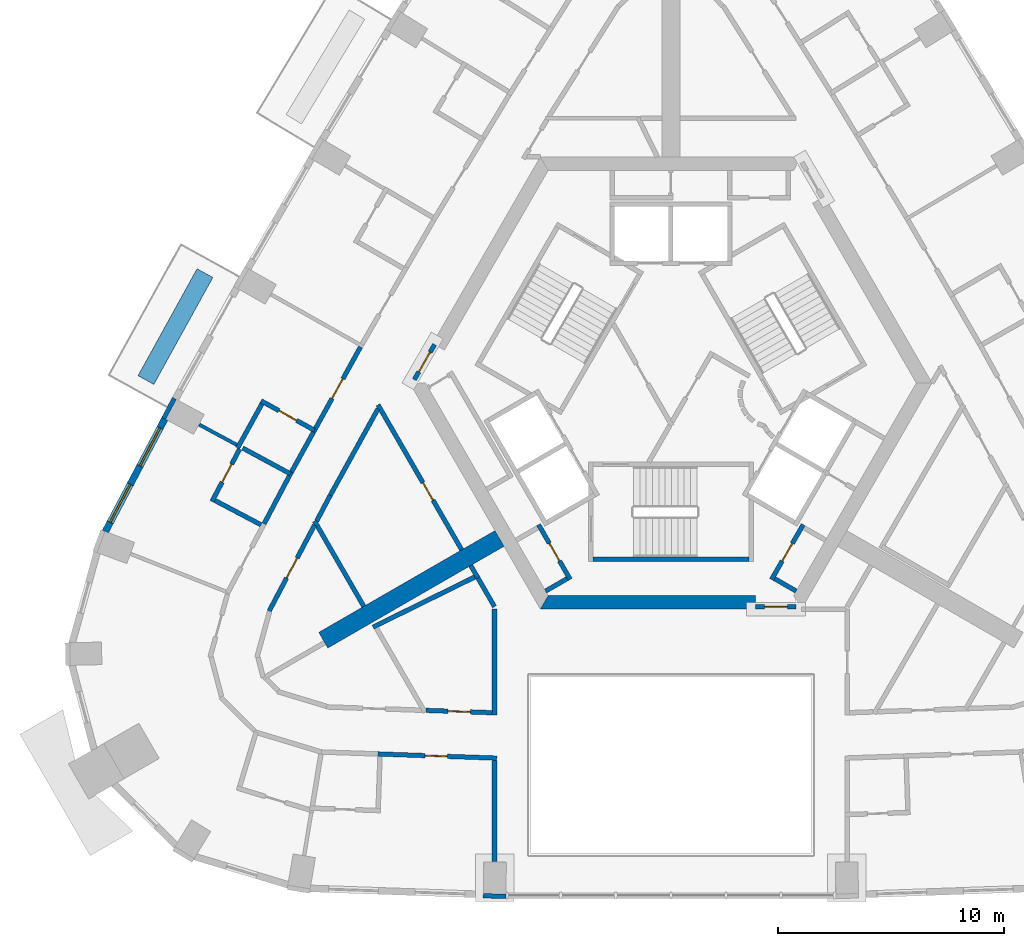
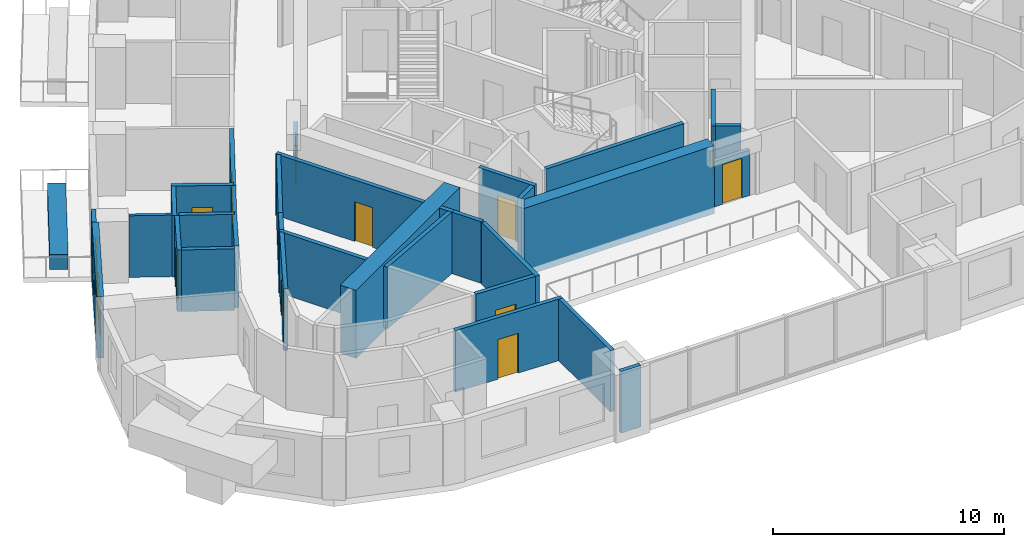
# One storey, part 4 of 14: 34 walls, 11 doors, 2 windows, 13 openings.
"""IFC4 building model written with IfcOpenShell, lengths in metres."""

from ifc_helpers import new_model, si_unit, direction, frame, frame_2d, origin, place, context, subcontext, project, spatial, polyline, rectangle, outline, extrude, material, layer, layer_set, type_object, element, fill, save


model = new_model("IFC4")

# Units and contexts
model_context = context("Model", 3, precision=1e-05, world=origin(), true_north=direction((0.0, 1.0)))
body_context = subcontext(model_context, "Body", "Model", "MODEL_VIEW")
ifc_project = project(units=[si_unit("LENGTHUNIT", "METRE"), si_unit("AREAUNIT", "SQUARE_METRE"), si_unit("VOLUMEUNIT", "CUBIC_METRE"), si_unit("PLANEANGLEUNIT", "RADIAN"), si_unit("MASSUNIT", "GRAM", prefix="KILO")], contexts=[model_context])

# Site, building, storey
site_placement = place(None, origin())
site = spatial("IfcSite", under=ifc_project, at=site_placement, CompositionType="ELEMENT")
building_placement = place(site_placement, origin())
building = spatial("IfcBuilding", under=site, at=building_placement, Name="Entoto Arch Interchange Tower", CompositionType="ELEMENT")
storey_placement = place(building_placement, frame((0.0, 0.0, 259.39990234375)))
storey = spatial("IfcBuildingStorey", under=building, at=storey_placement, Name="L59", CompositionType="ELEMENT", Elevation=259.39990234375)

# Wall
ifc_material_1 = material(Name="Concrete C40/50", Category="concrete")
ifc_layer_1 = layer(ifc_material_1, 0.800048828125)
ifc_layer_set_1 = layer_set([ifc_layer_1], Name="Concrete C40/50")
wall_type_1 = type_object("IfcWallType", Name="Buttress wall 800 C40/50", PredefinedType="SHEAR", material=ifc_layer_set_1)
wall_1_placement = place(storey_placement, frame((-7.577880859375, -4.375, -0.33984375), z_axis=(0.0, 0.0, 1.0), x_axis=(-0.866024315419, -0.5000018851, 0.0)))
element("IfcWall", 1, at=wall_1_placement, inside=storey, type_object=wall_type_1, Name="Buttress wall SW L59", PredefinedType="SHEAR", context=body_context, shape_type="SweptSolid", body=[
    extrude(rectangle(XDim=9.0, YDim=0.800048828125, at=frame_2d((4.5, 0.0))), origin(), (0.0, 0.0, 1.0), 3.599853515625),
])

# Wall, opening, door
ifc_material_2 = material(Name="Reinforced concrete C40/50", Category="concrete")
ifc_layer_2 = layer(ifc_material_2, 0.199951171875)
ifc_layer_set_2 = layer_set([ifc_layer_2], Name="Reinforced concrete C40/50")
wall_type_2 = type_object("IfcWallType", Name="CORE GAP INFILL WALL", PredefinedType="PARTITIONING", material=ifc_layer_set_2)
wall_2_placement = place(storey_placement, frame((3.75, -7.39990234375, 0.0), z_axis=(0.0, 0.0, 1.0), x_axis=(1.0, 0.0, 0.0)))
wall_2 = element("IfcWall", 2, at=wall_2_placement, inside=storey, type_object=wall_type_2, Name="wall:L59:gap1", PredefinedType="PARTITIONING", context=body_context, shape_type="SweptSolid", body=[
    extrude(rectangle(XDim=1.7939453125, YDim=0.199951171875, at=frame_2d((0.89697265625, 0.0))), origin(), (0.0, 0.0, 1.0), 2.400146484375),
])
opening_1_placement = place(wall_2_placement, frame((0.39697265625, 0.0, 0.0)))
opening_1 = element("IfcOpeningElement", 3, at=opening_1_placement, cuts=wall_2, Name="Opening L59-D91", PredefinedType="OPENING", context=body_context, shape_type="SweptSolid", body=[
    extrude(rectangle(XDim=1.0, YDim=2.10009765625, at=frame_2d((0.5, 1.050048828125))), frame((0.0, 0.10986328125, 0.0), z_axis=(0.0, -1.0, 0.0), x_axis=(1.0, 0.0, 0.0)), (0.0, 0.0, 1.0), 0.219970703125),
])
ifc_material_3 = material(Name="Fire-rated Steel S235 door and frame", Category="steel")
door_type_1 = type_object("IfcDoorType", Name="DOOR FD-10 1000x2100", OperationType="SINGLE_SWING_LEFT", PredefinedType="DOOR", material=ifc_material_3)
door_1_placement = place(opening_1_placement, origin())
door_1 = element("IfcDoor", 4, at=door_1_placement, inside=storey, type_object=door_type_1, Name="door:L59:gap1", OperationType="SINGLE_SWING_LEFT", OverallHeight=2.10009765625, OverallWidth=1.0, PredefinedType="DOOR", context=body_context, shape_type="SweptSolid", body=[
    extrude(rectangle(XDim=1.0, YDim=2.10009765625, at=frame_2d((0.5, 1.050048828125))), frame((0.0, 0.02490234375, 0.0), z_axis=(0.0, -1.0, 0.0), x_axis=(1.0, 0.0, 0.0)), (0.0, 0.0, 1.0), 0.050048828125),
])
fill(opening_1, door_1)

wall_3_placement = place(storey_placement, frame((-10.448974609375, 4.202880859375, 0.0), z_axis=(0.0, 0.0, 1.0), x_axis=(-0.499914839587, -0.866074565589, 0.0)))
wall_3 = element("IfcWall", 5, at=wall_3_placement, inside=storey, type_object=wall_type_2, Name="wall:L59:gap3", PredefinedType="PARTITIONING", context=body_context, shape_type="SweptSolid", body=[
    extrude(rectangle(XDim=1.794189453125, YDim=0.199951171875, at=frame_2d((0.89697265625, 0.0))), origin(), (0.0, 0.0, 1.0), 2.400146484375),
])
opening_2_placement = place(wall_3_placement, frame((0.39697265625, 0.0, 0.0)))
opening_2 = element("IfcOpeningElement", 6, at=opening_2_placement, cuts=wall_3, Name="Opening L59-D93", PredefinedType="OPENING", context=body_context, shape_type="SweptSolid", body=[
    extrude(rectangle(XDim=1.0, YDim=2.10009765625, at=frame_2d((0.5, 1.050048828125))), frame((0.0, 0.10986328125, 0.0), z_axis=(0.0, -1.0, 0.0), x_axis=(1.0, 0.0, 0.0)), (0.0, 0.0, 1.0), 0.219970703125),
])
door_2_placement = place(opening_2_placement, origin())
door_2 = element("IfcDoor", 7, at=door_2_placement, inside=storey, type_object=door_type_1, Name="door:L59:gap3", OperationType="SINGLE_SWING_LEFT", OverallHeight=2.10009765625, OverallWidth=1.0, PredefinedType="DOOR", context=body_context, shape_type="SweptSolid", body=[
    extrude(rectangle(XDim=1.0, YDim=2.10009765625, at=frame_2d((0.5, 1.050048828125))), frame((0.0, 0.02490234375, 0.0), z_axis=(0.0, -1.0, 0.0), x_axis=(1.0, 0.0, 0.0)), (0.0, 0.0, 1.0), 0.050048828125),
])
fill(opening_2, door_2)

# Walls
ifc_layer_3 = layer(ifc_material_1, 0.60009765625)
ifc_layer_set_3 = layer_set([ifc_layer_3], Name="Concrete C40/50")
wall_type_3 = type_object("IfcWallType", Name="Core wall 600 C40/50", PredefinedType="SHEAR", material=ifc_layer_set_3)
wall_4_placement = place(storey_placement, frame((0.0, 0.0, -0.33984375)))
element("IfcWall", 8, at=wall_4_placement, inside=storey, type_object=wall_type_3, Name="Core wall S L59", PredefinedType="SHEAR", context=body_context, shape_type="SweptSolid", body=[
    extrude(outline(polyline([(3.75, -7.5), (3.75, -6.89990234375), (-5.427001953125, -6.89990234375), (-5.77392578125, -7.5), (3.75, -7.5)])), origin(), (0.0, 0.0, 1.0), 3.599853515625),
])
ifc_material_4 = material(Name="Gypsum board partition on steel studs", Category="steel")
ifc_layer_4 = layer(ifc_material_4, 0.14990234375)
ifc_layer_set_4 = layer_set([ifc_layer_4], Name="Gypsum board partition on steel studs")
wall_type_4 = type_object("IfcWallType", Name="PARTITION 150", PredefinedType="PARTITIONING", material=ifc_layer_set_4)
wall_5_placement = place(storey_placement, frame((-19.198974609375, -0.235107421875, 0.0), z_axis=(0.0, 0.0, 1.0), x_axis=(-0.880166754904, 0.474664601126, 0.0)))
element("IfcWall", 9, at=wall_5_placement, inside=storey, type_object=wall_type_4, Name="wall:L59:p170", PredefinedType="PARTITIONING", context=body_context, shape_type="SweptSolid", body=[
    extrude(rectangle(XDim=1.88134765625, YDim=0.14990234375, at=frame_2d((0.940673828125, 0.0))), origin(), (0.0, 0.0, 1.0), 3.260009765625),
])
ifc_layer_5 = layer(ifc_material_4, 0.199951171875)
ifc_layer_set_5 = layer_set([ifc_layer_5], Name="Gypsum board partition on steel studs")
wall_type_5 = type_object("IfcWallType", Name="PARTITION 200", PredefinedType="PARTITIONING", material=ifc_layer_set_5)
wall_6_placement = place(storey_placement, frame((-8.531982421875, -6.123046875, 0.0), z_axis=(0.0, 0.0, 1.0), x_axis=(-0.499977104415, 0.866038622153, 0.0)))
element("IfcWall", 10, at=wall_6_placement, inside=storey, type_object=wall_type_5, Name="wall:L59:p025", PredefinedType="PARTITIONING", context=body_context, shape_type="SweptSolid", body=[
    extrude(rectangle(XDim=0.63623046875, YDim=0.199951171875, at=frame_2d((0.318115234375, 0.0))), origin(), (0.0, 0.0, 1.0), 3.260009765625),
])
wall_7_placement = place(storey_placement, frame((-12.949951171875, 1.360107421875, 0.0), z_axis=(0.0, 0.0, 1.0), x_axis=(-0.483418231124, -0.875389521194, 0.0)))
element("IfcWall", 11, at=wall_7_placement, inside=storey, type_object=wall_type_5, Name="wall:L59:p026", PredefinedType="PARTITIONING", context=body_context, shape_type="SweptSolid", body=[
    extrude(rectangle(XDim=4.373046875, YDim=0.199951171875, at=frame_2d((2.1865234375, 0.0))), origin(), (0.0, 0.0, 1.0), 3.260009765625),
])
wall_8_placement = place(storey_placement, frame((-15.06396484375, -2.468017578125, 0.0), z_axis=(0.0, 0.0, 1.0), x_axis=(-0.467126648849, -0.884190417238, 0.0)))
element("IfcWall", 12, at=wall_8_placement, inside=storey, type_object=wall_type_5, Name="wall:L59:p027", PredefinedType="PARTITIONING", context=body_context, shape_type="SweptSolid", body=[
    extrude(rectangle(XDim=1.282470703125, YDim=0.199951171875, at=frame_2d((0.64111328125, 0.0))), origin(), (0.0, 0.0, 1.0), 3.260009765625),
])
wall_9_placement = place(storey_placement, frame((-7.800048828125, -7.389892578125, 0.0), z_axis=(0.0, 0.0, 1.0), x_axis=(-0.500266477503, 0.865871498253, 0.0)))
element("IfcWall", 13, at=wall_9_placement, inside=storey, type_object=wall_type_5, Name="wall:L59:p028", PredefinedType="PARTITIONING", context=body_context, shape_type="SweptSolid", body=[
    extrude(rectangle(XDim=1.463134765625, YDim=0.199951171875, at=frame_2d((0.7314453125, 0.0))), origin(), (0.0, 0.0, 1.0), 3.260009765625),
])

# Wall, opening, door
wall_10_placement = place(storey_placement, frame((-10.825927734375, -11.97802734375, 0.0), z_axis=(0.0, 0.0, 1.0), x_axis=(0.999380679818, -0.035188873332, 0.0)))
wall_10 = element("IfcWall", 14, at=wall_10_placement, inside=storey, type_object=wall_type_5, Name="wall:L59:p029", PredefinedType="PARTITIONING", context=body_context, shape_type="SweptSolid", body=[
    extrude(rectangle(XDim=2.927734375, YDim=0.199951171875, at=frame_2d((1.4638671875, 0.0))), origin(), (0.0, 0.0, 1.0), 3.260009765625),
])
opening_3_placement = place(wall_10_placement, frame((0.964111328125, 0.0, 0.0)))
opening_3 = element("IfcOpeningElement", 15, at=opening_3_placement, cuts=wall_10, Name="Opening L59-D41", PredefinedType="OPENING", context=body_context, shape_type="SweptSolid", body=[
    extrude(rectangle(XDim=1.0, YDim=2.10009765625, at=frame_2d((0.5, 1.050048828125))), frame((0.0, 0.10986328125, 0.0), z_axis=(0.0, -1.0, 0.0), x_axis=(1.0, 0.0, 0.0)), (0.0, 0.0, 1.0), 0.219970703125),
])
ifc_material_5 = material(Name="Timber door leaf in Steel S235 frame", Category="steel")
door_type_2 = type_object("IfcDoorType", Name="DOOR DS-10 1000x2100", OperationType="SINGLE_SWING_LEFT", PredefinedType="DOOR", material=ifc_material_5)
door_3_placement = place(opening_3_placement, origin())
door_3 = element("IfcDoor", 16, at=door_3_placement, inside=storey, type_object=door_type_2, Name="door:L59:41", OperationType="SINGLE_SWING_LEFT", OverallHeight=2.10009765625, OverallWidth=1.0, PredefinedType="DOOR", context=body_context, shape_type="SweptSolid", body=[
    extrude(rectangle(XDim=1.0, YDim=2.10009765625, at=frame_2d((0.5, 1.050048828125))), frame((0.0, 0.02490234375, 0.0), z_axis=(0.0, -1.0, 0.0), x_axis=(1.0, 0.0, 0.0)), (0.0, 0.0, 1.0), 0.050048828125),
])
fill(opening_3, door_3)

wall_11_placement = place(storey_placement, frame((-15.756103515625, -3.779052734375, 0.0), z_axis=(0.0, 0.0, 1.0), x_axis=(-0.46672043873, -0.884404902786, 0.0)))
wall_11 = element("IfcWall", 17, at=wall_11_placement, inside=storey, type_object=wall_type_5, Name="wall:L59:p030", PredefinedType="PARTITIONING", context=body_context, shape_type="SweptSolid", body=[
    extrude(rectangle(XDim=4.306640625, YDim=0.199951171875, at=frame_2d((2.1533203125, 0.0))), origin(), (0.0, 0.0, 1.0), 3.260009765625),
])
opening_4_placement = place(wall_11_placement, frame((1.653076171875, 0.0, 0.0)))
opening_4 = element("IfcOpeningElement", 18, at=opening_4_placement, cuts=wall_11, Name="Opening L59-D42", PredefinedType="OPENING", context=body_context, shape_type="SweptSolid", body=[
    extrude(rectangle(XDim=1.0, YDim=2.10009765625, at=frame_2d((0.5, 1.050048828125))), frame((0.0, 0.10986328125, 0.0), z_axis=(0.0, -1.0, 0.0), x_axis=(1.0, 0.0, 0.0)), (0.0, 0.0, 1.0), 0.219970703125),
])
door_4_placement = place(opening_4_placement, origin())
door_4 = element("IfcDoor", 19, at=door_4_placement, inside=storey, type_object=door_type_2, Name="door:L59:42", OperationType="SINGLE_SWING_LEFT", OverallHeight=2.10009765625, OverallWidth=1.0, PredefinedType="DOOR", context=body_context, shape_type="SweptSolid", body=[
    extrude(rectangle(XDim=1.0, YDim=2.10009765625, at=frame_2d((0.5, 1.050048828125))), frame((0.0, 0.02490234375, 0.0), z_axis=(0.0, -1.0, 0.0), x_axis=(1.0, 0.0, 0.0)), (0.0, 0.0, 1.0), 0.050048828125),
])
fill(opening_4, door_4)

wall_12_placement = place(storey_placement, frame((-15.80908203125, 0.320068359375, 0.0), z_axis=(0.0, 0.0, 1.0), x_axis=(0.483322920175, 0.875442148193, 0.0)))
wall_12 = element("IfcWall", 20, at=wall_12_placement, inside=storey, type_object=wall_type_5, Name="wall:L59:p062", PredefinedType="PARTITIONING", context=body_context, shape_type="SweptSolid", body=[
    extrude(rectangle(XDim=4.309814453125, YDim=0.199951171875, at=frame_2d((2.15478515625, 0.0))), origin(), (0.0, 0.0, 1.0), 3.260009765625),
])
opening_5_placement = place(wall_12_placement, frame((1.705078125, 0.0, 0.0)))
opening_5 = element("IfcOpeningElement", 21, at=opening_5_placement, cuts=wall_12, Name="Opening L59-D25", PredefinedType="OPENING", context=body_context, shape_type="SweptSolid", body=[
    extrude(rectangle(XDim=1.0, YDim=2.10009765625, at=frame_2d((0.5, 1.050048828125))), frame((0.0, 0.10986328125, 0.0), z_axis=(0.0, -1.0, 0.0), x_axis=(1.0, 0.0, 0.0)), (0.0, 0.0, 1.0), 0.219970703125),
])
door_5_placement = place(opening_5_placement, origin())
door_5 = element("IfcDoor", 22, at=door_5_placement, inside=storey, type_object=door_type_1, Name="door:L59:25", OperationType="SINGLE_SWING_RIGHT", OverallHeight=2.10009765625, OverallWidth=1.0, PredefinedType="DOOR", context=body_context, shape_type="SweptSolid", body=[
    extrude(rectangle(XDim=1.0, YDim=2.10009765625, at=frame_2d((0.5, 1.050048828125))), frame((0.0, 0.02490234375, 0.0), z_axis=(0.0, -1.0, 0.0), x_axis=(1.0, 0.0, 0.0)), (0.0, 0.0, 1.0), 0.050048828125),
])
fill(opening_5, door_5)

# Walls
wall_13_placement = place(storey_placement, frame((-16.77587890625, -1.429931640625, 0.0), z_axis=(0.0, 0.0, 1.0), x_axis=(0.48360724937, 0.87528511261, 0.0)))
element("IfcWall", 23, at=wall_13_placement, inside=storey, type_object=wall_type_5, Name="wall:L59:p063", PredefinedType="PARTITIONING", context=body_context, shape_type="SweptSolid", body=[
    extrude(rectangle(XDim=1.9970703125, YDim=0.199951171875, at=frame_2d((0.99853515625, 0.0))), origin(), (0.0, 0.0, 1.0), 3.260009765625),
])
wall_14_placement = place(storey_placement, frame((-17.990966796875, -3.72900390625, 0.0), z_axis=(0.0, 0.0, 1.0), x_axis=(0.466450569784, 0.88454726609, 0.0)))
element("IfcWall", 24, at=wall_14_placement, inside=storey, type_object=wall_type_5, Name="wall:L59:p065", PredefinedType="PARTITIONING", context=body_context, shape_type="SweptSolid", body=[
    extrude(rectangle(XDim=2.600341796875, YDim=0.199951171875, at=frame_2d((1.30029296875, 0.0))), origin(), (0.0, 0.0, 1.0), 3.260009765625),
])

# Wall, opening, door
wall_15_placement = place(storey_placement, frame((-7.699951171875, -14.089111328125, 0.0), z_axis=(0.0, 0.0, 1.0), x_axis=(-0.999388410674, 0.034968623214, 0.0)))
wall_15 = element("IfcWall", 25, at=wall_15_placement, inside=storey, type_object=wall_type_5, Name="wall:L59:p070", PredefinedType="PARTITIONING", context=body_context, shape_type="SweptSolid", body=[
    extrude(rectangle(XDim=5.26416015625, YDim=0.199951171875, at=frame_2d((2.632080078125, 0.0))), origin(), (0.0, 0.0, 1.0), 3.260009765625),
])
opening_6_placement = place(wall_15_placement, frame((2.181884765625, 0.0, 0.0)))
opening_6 = element("IfcOpeningElement", 26, at=opening_6_placement, cuts=wall_15, Name="Opening L59-D31", PredefinedType="OPENING", context=body_context, shape_type="SweptSolid", body=[
    extrude(rectangle(XDim=1.0, YDim=2.10009765625, at=frame_2d((0.5, 1.050048828125))), frame((0.0, 0.10986328125, 0.0), z_axis=(0.0, -1.0, 0.0), x_axis=(1.0, 0.0, 0.0)), (0.0, 0.0, 1.0), 0.219970703125),
])
door_6_placement = place(opening_6_placement, origin())
door_6 = element("IfcDoor", 27, at=door_6_placement, inside=storey, type_object=door_type_1, Name="door:L59:31", OperationType="SINGLE_SWING_LEFT", OverallHeight=2.10009765625, OverallWidth=1.0, PredefinedType="DOOR", context=body_context, shape_type="SweptSolid", body=[
    extrude(rectangle(XDim=1.0, YDim=2.10009765625, at=frame_2d((0.5, 1.050048828125))), frame((0.0, 0.02490234375, 0.0), z_axis=(0.0, -1.0, 0.0), x_axis=(1.0, 0.0, 0.0)), (0.0, 0.0, 1.0), 0.050048828125),
])
fill(opening_6, door_6)

# Wall
wall_16_placement = place(storey_placement, frame((5.541015625, -6.702880859375, 0.0), z_axis=(0.0, 0.0, 1.0), x_axis=(-0.86621513555, 0.499671230855, 0.0)))
element("IfcWall", 28, at=wall_16_placement, inside=storey, type_object=wall_type_5, Name="wall:L59:p078", PredefinedType="PARTITIONING", context=body_context, shape_type="SweptSolid", body=[
    extrude(rectangle(XDim=1.100341796875, YDim=0.199951171875, at=frame_2d((0.55029296875, 0.0))), origin(), (0.0, 0.0, 1.0), 3.260009765625),
])

# Wall, opening, door
wall_17_placement = place(storey_placement, frame((4.450927734375, -6.18994140625, 0.0), z_axis=(0.0, 0.0, 1.0), x_axis=(0.500011755427, 0.866018616679, 0.0)))
wall_17 = element("IfcWall", 29, at=wall_17_placement, inside=storey, type_object=wall_type_5, Name="wall:L59:p079", PredefinedType="PARTITIONING", context=body_context, shape_type="SweptSolid", body=[
    extrude(rectangle(XDim=2.80029296875, YDim=0.199951171875, at=frame_2d((1.400146484375, 0.0))), origin(), (0.0, 0.0, 1.0), 3.260009765625),
])
opening_7_placement = place(wall_17_placement, frame((0.949951171875, 0.0, 0.0)))
opening_7 = element("IfcOpeningElement", 30, at=opening_7_placement, cuts=wall_17, Name="Opening L59-D50", PredefinedType="OPENING", context=body_context, shape_type="SweptSolid", body=[
    extrude(rectangle(XDim=0.89990234375, YDim=2.10009765625, at=frame_2d((0.449951171875, 1.050048828125))), frame((0.0, 0.10986328125, 0.0), z_axis=(0.0, -1.0, 0.0), x_axis=(1.0, 0.0, 0.0)), (0.0, 0.0, 1.0), 0.219970703125),
])
door_type_3 = type_object("IfcDoorType", Name="DOOR DS-09 900x2100", OperationType="SINGLE_SWING_LEFT", PredefinedType="DOOR", material=ifc_material_5)
door_7_placement = place(opening_7_placement, origin())
door_7 = element("IfcDoor", 31, at=door_7_placement, inside=storey, type_object=door_type_3, Name="door:L59:50", OperationType="SINGLE_SWING_LEFT", OverallHeight=2.10009765625, OverallWidth=0.89990234375, PredefinedType="DOOR", context=body_context, shape_type="SweptSolid", body=[
    extrude(rectangle(XDim=0.89990234375, YDim=2.10009765625, at=frame_2d((0.449951171875, 1.050048828125))), frame((0.0, 0.02490234375, 0.0), z_axis=(0.0, -1.0, 0.0), x_axis=(1.0, 0.0, 0.0)), (0.0, 0.0, 1.0), 0.050048828125),
])
fill(opening_7, door_7)

wall_18_placement = place(storey_placement, frame((-5.85107421875, -3.764892578125, 0.0), z_axis=(0.0, 0.0, 1.0), x_axis=(0.500011755427, -0.866018616679, 0.0)))
wall_18 = element("IfcWall", 32, at=wall_18_placement, inside=storey, type_object=wall_type_5, Name="wall:L59:p087", PredefinedType="PARTITIONING", context=body_context, shape_type="SweptSolid", body=[
    extrude(rectangle(XDim=2.80029296875, YDim=0.199951171875, at=frame_2d((1.400146484375, 0.0))), origin(), (0.0, 0.0, 1.0), 3.260009765625),
])
opening_8_placement = place(wall_18_placement, frame((0.949951171875, 0.0, 0.0)))
opening_8 = element("IfcOpeningElement", 33, at=opening_8_placement, cuts=wall_18, Name="Opening L59-D53", PredefinedType="OPENING", context=body_context, shape_type="SweptSolid", body=[
    extrude(rectangle(XDim=0.89990234375, YDim=2.10009765625, at=frame_2d((0.449951171875, 1.050048828125))), frame((0.0, 0.10986328125, 0.0), z_axis=(0.0, -1.0, 0.0), x_axis=(1.0, 0.0, 0.0)), (0.0, 0.0, 1.0), 0.219970703125),
])
door_8_placement = place(opening_8_placement, origin())
door_8 = element("IfcDoor", 34, at=door_8_placement, inside=storey, type_object=door_type_3, Name="door:L59:53", OperationType="SINGLE_SWING_RIGHT", OverallHeight=2.10009765625, OverallWidth=0.89990234375, PredefinedType="DOOR", context=body_context, shape_type="SweptSolid", body=[
    extrude(rectangle(XDim=0.89990234375, YDim=2.10009765625, at=frame_2d((0.449951171875, 1.050048828125))), frame((0.0, 0.02490234375, 0.0), z_axis=(0.0, -1.0, 0.0), x_axis=(1.0, 0.0, 0.0)), (0.0, 0.0, 1.0), 0.050048828125),
])
fill(opening_8, door_8)

# Walls
wall_19_placement = place(storey_placement, frame((-4.587890625, -6.153076171875, 0.0), z_axis=(0.0, 0.0, 1.0), x_axis=(-0.86621513555, -0.499671230855, 0.0)))
element("IfcWall", 35, at=wall_19_placement, inside=storey, type_object=wall_type_5, Name="wall:L59:p088", PredefinedType="PARTITIONING", context=body_context, shape_type="SweptSolid", body=[
    extrude(rectangle(XDim=1.100341796875, YDim=0.199951171875, at=frame_2d((0.55029296875, 0.0))), origin(), (0.0, 0.0, 1.0), 3.260009765625),
])
wall_20_placement = place(storey_placement, frame((-7.800048828125, -12.18408203125, 0.0), z_axis=(0.0, 0.0, 1.0), x_axis=(0.0, 1.0, 0.0)))
element("IfcWall", 36, at=wall_20_placement, inside=storey, type_object=wall_type_5, Name="wall:L59:p106", PredefinedType="PARTITIONING", context=body_context, shape_type="SweptSolid", body=[
    extrude(rectangle(XDim=4.68505859375, YDim=0.199951171875, at=frame_2d((2.342529296875, 0.0))), origin(), (0.0, 0.0, 1.0), 3.260009765625),
])
wall_21_placement = place(storey_placement, frame((-7.800048828125, -18.6689453125, 0.0), z_axis=(0.0, 0.0, 1.0), x_axis=(0.0, 1.0, 0.0)))
element("IfcWall", 37, at=wall_21_placement, inside=storey, type_object=wall_type_5, Name="wall:L59:p109", PredefinedType="PARTITIONING", context=body_context, shape_type="SweptSolid", body=[
    extrude(rectangle(XDim=4.48388671875, YDim=0.199951171875, at=frame_2d((2.241943359375, 0.0))), origin(), (0.0, 0.0, 1.0), 3.260009765625),
])
wall_22_placement = place(storey_placement, frame((-8.58203125, -6.035888671875, 0.0), z_axis=(0.0, 0.0, 1.0), x_axis=(-0.897105141673, -0.441817116897, 0.0)))
element("IfcWall", 38, at=wall_22_placement, inside=storey, type_object=wall_type_5, Name="wall:L59:p118", PredefinedType="PARTITIONING", context=body_context, shape_type="SweptSolid", body=[
    extrude(rectangle(XDim=5.11083984375, YDim=0.199951171875, at=frame_2d((2.555419921875, 0.0))), origin(), (0.0, 0.0, 1.0), 3.260009765625),
])
wall_23_placement = place(storey_placement, frame((-13.580078125, -7.37890625, 0.0), z_axis=(0.0, 0.0, 1.0), x_axis=(-0.499916403993, 0.866073662582, 0.0)))
element("IfcWall", 39, at=wall_23_placement, inside=storey, type_object=wall_type_5, Name="wall:L59:p119", PredefinedType="PARTITIONING", context=body_context, shape_type="SweptSolid", body=[
    extrude(rectangle(XDim=4.358642578125, YDim=0.199951171875, at=frame_2d((2.17919921875, 0.0))), origin(), (0.0, 0.0, 1.0), 3.260009765625),
])

# Wall, opening, door
wall_24_placement = place(storey_placement, frame((-15.760986328125, 0.407958984375, 0.0), z_axis=(0.0, 0.0, 1.0), x_axis=(-0.875391622802, 0.483414425445, 0.0)))
wall_24 = element("IfcWall", 40, at=wall_24_placement, inside=storey, type_object=wall_type_5, Name="wall:L59:p168", PredefinedType="PARTITIONING", context=body_context, shape_type="SweptSolid", body=[
    extrude(rectangle(XDim=2.699462890625, YDim=0.199951171875, at=frame_2d((1.349609375, 0.0))), origin(), (0.0, 0.0, 1.0), 3.260009765625),
])
opening_9_placement = place(wall_24_placement, frame((0.89990234375, 0.0, 0.0)))
opening_9 = element("IfcOpeningElement", 41, at=opening_9_placement, cuts=wall_24, Name="Opening L59-D26", PredefinedType="OPENING", context=body_context, shape_type="SweptSolid", body=[
    extrude(rectangle(XDim=0.89990234375, YDim=2.10009765625, at=frame_2d((0.449951171875, 1.050048828125))), frame((0.0, 0.10986328125, 0.0), z_axis=(0.0, -1.0, 0.0), x_axis=(1.0, 0.0, 0.0)), (0.0, 0.0, 1.0), 0.219970703125),
])
door_9_placement = place(opening_9_placement, origin())
door_9 = element("IfcDoor", 42, at=door_9_placement, inside=storey, type_object=door_type_3, Name="door:L59:26", OperationType="SINGLE_SWING_LEFT", OverallHeight=2.10009765625, OverallWidth=0.89990234375, PredefinedType="DOOR", context=body_context, shape_type="SweptSolid", body=[
    extrude(rectangle(XDim=0.89990234375, YDim=2.10009765625, at=frame_2d((0.449951171875, 1.050048828125))), frame((0.0, 0.02490234375, 0.0), z_axis=(0.0, -1.0, 0.0), x_axis=(1.0, 0.0, 0.0)), (0.0, 0.0, 1.0), 0.050048828125),
])
fill(opening_9, door_9)

# Walls
wall_25_placement = place(storey_placement, frame((-18.0849609375, 1.576904296875, 0.0), z_axis=(0.0, 0.0, 1.0), x_axis=(-0.483329790342, -0.875438355207, 0.0)))
element("IfcWall", 43, at=wall_25_placement, inside=storey, type_object=wall_type_5, Name="wall:L59:p169", PredefinedType="PARTITIONING", context=body_context, shape_type="SweptSolid", body=[
    extrude(rectangle(XDim=2.22412109375, YDim=0.199951171875, at=frame_2d((1.112060546875, 0.0))), origin(), (0.0, 0.0, 1.0), 3.260009765625),
])
wall_26_placement = place(storey_placement, frame((-16.823974609375, -1.51806640625, 0.0), z_axis=(0.0, 0.0, 1.0), x_axis=(-0.879879019938, 0.47519775912, 0.0)))
element("IfcWall", 44, at=wall_26_placement, inside=storey, type_object=wall_type_5, Name="wall:L59:p171", PredefinedType="PARTITIONING", context=body_context, shape_type="SweptSolid", body=[
    extrude(rectangle(XDim=2.399169921875, YDim=0.199951171875, at=frame_2d((1.19970703125, 0.0))), origin(), (0.0, 0.0, 1.0), 3.260009765625),
])

# Wall, opening, door
wall_27_placement = place(storey_placement, frame((-19.069091796875, -0.41796875, 0.0), z_axis=(0.0, 0.0, 1.0), x_axis=(-0.467007153784, -0.884253537349, 0.0)))
wall_27 = element("IfcWall", 45, at=wall_27_placement, inside=storey, type_object=wall_type_5, Name="wall:L59:p172", PredefinedType="PARTITIONING", context=body_context, shape_type="SweptSolid", body=[
    extrude(rectangle(XDim=2.624755859375, YDim=0.199951171875, at=frame_2d((1.3125, 0.0))), origin(), (0.0, 0.0, 1.0), 3.260009765625),
])
opening_10_placement = place(wall_27_placement, frame((0.762939453125, 0.0, 0.0)))
opening_10 = element("IfcOpeningElement", 46, at=opening_10_placement, cuts=wall_27, Name="Opening L59-D28", PredefinedType="OPENING", context=body_context, shape_type="SweptSolid", body=[
    extrude(rectangle(XDim=0.89990234375, YDim=2.10009765625, at=frame_2d((0.449951171875, 1.050048828125))), frame((0.0, 0.10986328125, 0.0), z_axis=(0.0, -1.0, 0.0), x_axis=(1.0, 0.0, 0.0)), (0.0, 0.0, 1.0), 0.219970703125),
])
door_10_placement = place(opening_10_placement, origin())
door_10 = element("IfcDoor", 47, at=door_10_placement, inside=storey, type_object=door_type_3, Name="door:L59:28", OperationType="SINGLE_SWING_LEFT", OverallHeight=2.10009765625, OverallWidth=0.89990234375, PredefinedType="DOOR", context=body_context, shape_type="SweptSolid", body=[
    extrude(rectangle(XDim=0.89990234375, YDim=2.10009765625, at=frame_2d((0.449951171875, 1.050048828125))), frame((0.0, 0.02490234375, 0.0), z_axis=(0.0, -1.0, 0.0), x_axis=(1.0, 0.0, 0.0)), (0.0, 0.0, 1.0), 0.050048828125),
])
fill(opening_10, door_10)

# Wall
wall_28_placement = place(storey_placement, frame((-20.159912109375, -2.697021484375, 0.0), z_axis=(0.0, 0.0, 1.0), x_axis=(0.884293452572, -0.466931568583, 0.0)))
element("IfcWall", 48, at=wall_28_placement, inside=storey, type_object=wall_type_5, Name="wall:L59:p173", PredefinedType="PARTITIONING", context=body_context, shape_type="SweptSolid", body=[
    extrude(rectangle(XDim=2.300048828125, YDim=0.199951171875, at=frame_2d((1.14990234375, 0.0))), origin(), (0.0, 0.0, 1.0), 3.260009765625),
])

# Wall, opening, door
wall_29_placement = place(storey_placement, frame((-9.25, -4.87890625, 0.0), z_axis=(0.0, 0.0, 1.0), x_axis=(-0.499944124422, 0.866057661161, 0.0)))
wall_29 = element("IfcWall", 49, at=wall_29_placement, inside=storey, type_object=wall_type_5, Name="wall:L59:p025", PredefinedType="PARTITIONING", context=body_context, shape_type="SweptSolid", body=[
    extrude(rectangle(XDim=7.404541015625, YDim=0.199951171875, at=frame_2d((3.7021484375, 0.0))), origin(), (0.0, 0.0, 1.0), 3.260009765625),
])
opening_11_placement = place(wall_29_placement, frame((2.532958984375, 0.0, 0.0)))
opening_11 = element("IfcOpeningElement", 50, at=opening_11_placement, cuts=wall_29, Name="Opening L59-D40", PredefinedType="OPENING", context=body_context, shape_type="SweptSolid", body=[
    extrude(rectangle(XDim=0.89990234375, YDim=2.10009765625, at=frame_2d((0.449951171875, 1.050048828125))), frame((0.0, 0.10986328125, 0.0), z_axis=(0.0, -1.0, 0.0), x_axis=(1.0, 0.0, 0.0)), (0.0, 0.0, 1.0), 0.219970703125),
])
door_11_placement = place(opening_11_placement, origin())
door_11 = element("IfcDoor", 51, at=door_11_placement, inside=storey, type_object=door_type_3, Name="door:L59:40", OperationType="SINGLE_SWING_RIGHT", OverallHeight=2.10009765625, OverallWidth=0.89990234375, PredefinedType="DOOR", context=body_context, shape_type="SweptSolid", body=[
    extrude(rectangle(XDim=0.89990234375, YDim=2.10009765625, at=frame_2d((0.449951171875, 1.050048828125))), frame((0.0, 0.02490234375, 0.0), z_axis=(0.0, -1.0, 0.0), x_axis=(1.0, 0.0, 0.0)), (0.0, 0.0, 1.0), 0.050048828125),
])
fill(opening_11, door_11)

# Walls
ifc_material_6 = material(Name="Board-marked precast concrete C50/60", Category="concrete")
ifc_layer_6 = layer(ifc_material_6, 0.800048828125)
ifc_layer_set_6 = layer_set([ifc_layer_6], Name="Board-marked precast concrete C50/60")
wall_type_6 = type_object("IfcWallType", Name="PLANTER RC 800 Juniperus procera", PredefinedType="STANDARD", material=ifc_layer_set_6)
wall_30_placement = place(storey_placement, frame((-20.60400390625, 7.360107421875, 0.0), z_axis=(0.0, 0.0, 1.0), x_axis=(-0.483262482812, -0.87547551234, 0.0)))
element("IfcWall", 52, at=wall_30_placement, inside=storey, type_object=wall_type_6, Name="Planter NW-04 L59", PredefinedType="STANDARD", context=body_context, shape_type="SweptSolid", body=[
    extrude(rectangle(XDim=5.403076171875, YDim=0.800048828125, at=frame_2d((2.70166015625, 0.0))), origin(), (0.0, 0.0, 1.0), 0.800048828125),
])
ifc_layer_7 = layer(ifc_material_1, 0.199951171875)
ifc_layer_set_7 = layer_set([ifc_layer_7], Name="Concrete C40/50")
wall_type_7 = type_object("IfcWallType", Name="STAIR ENCLOSURE WALL 200", PredefinedType="STANDARD", material=ifc_layer_set_7)
wall_31_placement = place(storey_placement, frame((-3.449951171875, -5.300048828125, 0.0), z_axis=(0.0, 0.0, 1.0), x_axis=(1.0, 0.0, 0.0)))
element("IfcWall", 53, at=wall_31_placement, inside=storey, type_object=wall_type_7, Name="Stair wall ST-S back", PredefinedType="STANDARD", context=body_context, shape_type="SweptSolid", body=[
    extrude(rectangle(XDim=6.89990234375, YDim=0.199951171875, at=frame_2d((3.449951171875, 0.0))), origin(), (0.0, 0.0, 1.0), 3.260009765625),
])

# Wall, openings, windows
ifc_material_7 = material(Name="Welded tuff (ignimbrite) cladding, warm buff", Category="masonry")
ifc_layer_8 = layer(ifc_material_7, 0.300048828125)
ifc_layer_set_8 = layer_set([ifc_layer_8], Name="Welded tuff (ignimbrite) cladding, warm buff")
wall_type_8 = type_object("IfcWallType", Name="STONE INFILL WALL 300", PredefinedType="STANDARD", material=ifc_layer_set_8)
wall_32_placement = place(storey_placement, frame((-22.381103515625, 0.916015625, 0.0), z_axis=(0.0, 0.0, 1.0), x_axis=(-0.466663589714, -0.884434900959, 0.0)))
wall_32 = element("IfcWall", 54, at=wall_32_placement, inside=storey, type_object=wall_type_8, Name="Facade wall NW-05 L59", PredefinedType="STANDARD", context=body_context, shape_type="SweptSolid", body=[
    extrude(rectangle(XDim=5.6376953125, YDim=0.300048828125, at=frame_2d((2.81884765625, 0.0))), origin(), (0.0, 0.0, 1.0), 3.260009765625),
])
opening_12_placement = place(wall_32_placement, frame((0.458984375, 0.0, 0.89990234375)))
opening_12 = element("IfcOpeningElement", 55, at=opening_12_placement, cuts=wall_32, Name="Opening WH-C", PredefinedType="OPENING", context=body_context, shape_type="SweptSolid", body=[
    extrude(rectangle(XDim=1.89990234375, YDim=2.0, at=frame_2d((0.949951171875, 1.0))), frame((0.0, 0.16015625, 0.0), z_axis=(0.0, -1.0, 0.0), x_axis=(1.0, 0.0, 0.0)), (0.0, 0.0, 1.0), 0.320068359375),
])
opening_13_placement = place(wall_32_placement, frame((3.278076171875, 0.0, 0.89990234375)))
opening_13 = element("IfcOpeningElement", 56, at=opening_13_placement, cuts=wall_32, Name="Opening WH-C", PredefinedType="OPENING", context=body_context, shape_type="SweptSolid", body=[
    extrude(rectangle(XDim=1.89990234375, YDim=2.0, at=frame_2d((0.949951171875, 1.0))), frame((0.0, 0.16015625, 0.0), z_axis=(0.0, -1.0, 0.0), x_axis=(1.0, 0.0, 0.0)), (0.0, 0.0, 1.0), 0.320068359375),
])
ifc_material_8 = material(Name="Clear glass, low-e double glazed", Category="glass")
window_type = type_object("IfcWindowType", Name="WINDOW WH-C 1900x2000", PartitioningType="DOUBLE_PANEL_VERTICAL", PredefinedType="WINDOW", material=ifc_material_8)
window_1_placement = place(opening_12_placement, origin())
window_1 = element("IfcWindow", 57, at=window_1_placement, inside=storey, type_object=window_type, Name="Window WH-C NW-05 L59", OverallHeight=2.0, OverallWidth=1.89990234375, PartitioningType="SINGLE_PANEL", PredefinedType="WINDOW", context=body_context, shape_type="SweptSolid", body=[
    extrude(rectangle(XDim=1.89990234375, YDim=2.0, at=frame_2d((0.949951171875, 1.0))), frame((0.0, 0.030029296875, 0.0), z_axis=(0.0, -1.0, 0.0), x_axis=(1.0, 0.0, 0.0)), (0.0, 0.0, 1.0), 0.06005859375),
])
fill(opening_12, window_1)
window_2_placement = place(opening_13_placement, origin())
window_2 = element("IfcWindow", 58, at=window_2_placement, inside=storey, type_object=window_type, Name="Window WH-C NW-05 L59", OverallHeight=2.0, OverallWidth=1.89990234375, PartitioningType="SINGLE_PANEL", PredefinedType="WINDOW", context=body_context, shape_type="SweptSolid", body=[
    extrude(rectangle(XDim=1.89990234375, YDim=2.0, at=frame_2d((0.949951171875, 1.0))), frame((0.0, 0.030029296875, 0.0), z_axis=(0.0, -1.0, 0.0), x_axis=(1.0, 0.0, 0.0)), (0.0, 0.0, 1.0), 0.06005859375),
])
fill(opening_13, window_2)

# Walls
ifc_layer_9 = layer(ifc_material_7, 0.199951171875)
ifc_layer_set_9 = layer_set([ifc_layer_9], Name="Welded tuff (ignimbrite) cladding, warm buff")
wall_type_9 = type_object("IfcWallType", Name="STONE PIER CLADDING 200", PredefinedType="STANDARD", material=ifc_layer_set_9)
wall_33_placement = place(storey_placement, frame((-21.955078125, 1.821044921875, 0.0), z_axis=(0.0, 0.0, 1.0), x_axis=(-0.473663196434, -0.88070606694, 0.0)))
element("IfcWall", 59, at=wall_33_placement, inside=storey, type_object=wall_type_9, Name="Stone pier NW05 L59", PredefinedType="STANDARD", context=body_context, shape_type="SweptSolid", body=[
    extrude(rectangle(XDim=1.00048828125, YDim=0.199951171875, at=frame_2d((0.500244140625, 0.0))), origin(), (0.0, 0.0, 1.0), 3.260009765625),
])
wall_34_placement = place(storey_placement, frame((-8.298095703125, -20.179931640625, 0.0), z_axis=(0.0, 0.0, 1.0), x_axis=(0.999836842422, -0.018063458579, 0.0)))
element("IfcWall", 60, at=wall_34_placement, inside=storey, type_object=wall_type_9, Name="Stone pier S02 L59", PredefinedType="STANDARD", context=body_context, shape_type="SweptSolid", body=[
    extrude(rectangle(XDim=1.000244140625, YDim=0.199951171875, at=frame_2d((0.5, 0.0))), origin(), (0.0, 0.0, 1.0), 3.260009765625),
])

save(model, "model.ifc")
